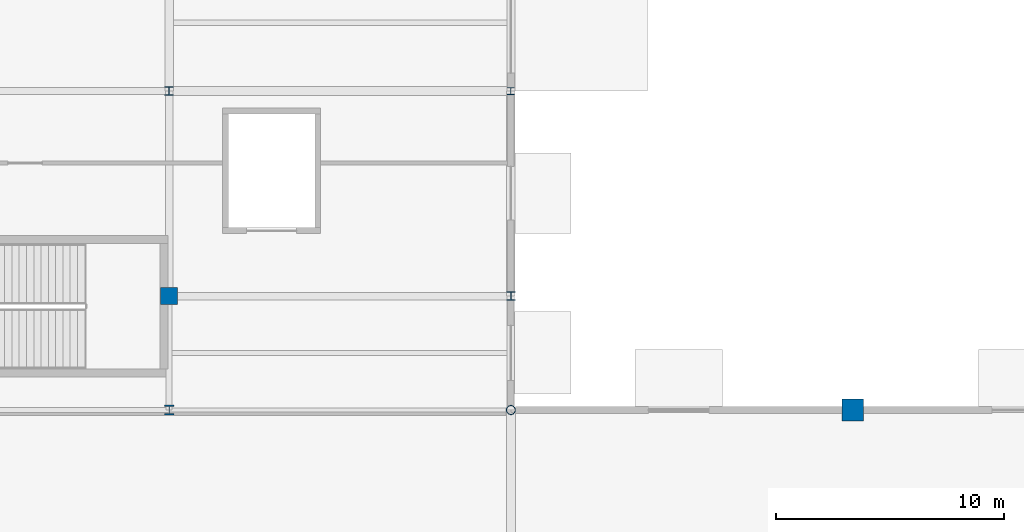
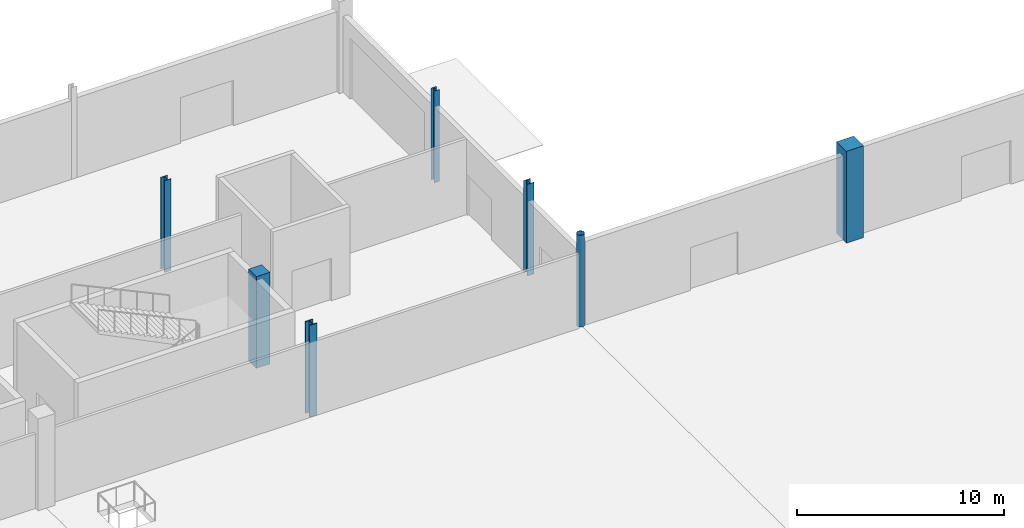
# One storey, part 11 of 94: 7 columns.
"""IFC4 building model written with IfcOpenShell, lengths in metres."""

from ifc_helpers import new_model, si_unit, direction, frame, origin, origin_2d, place, context, subcontext, project, spatial, rectangle, hollow_circle, i_section, extrude, material, material_profile, profile_set, type_object, element, save


model = new_model("IFC4")

# Units and contexts
model_context = context("Model", 3, precision=1e-05, world=origin(), true_north=direction((0.0, 1.0)))
body_context = subcontext(model_context, "Body", "Model", "MODEL_VIEW")
ifc_project = project(units=[si_unit("LENGTHUNIT", "METRE"), si_unit("AREAUNIT", "SQUARE_METRE"), si_unit("VOLUMEUNIT", "CUBIC_METRE"), si_unit("PLANEANGLEUNIT", "RADIAN"), si_unit("MASSUNIT", "GRAM", prefix="KILO")], contexts=[model_context])

# Site, building, storey
site_placement = place(None, origin())
site = spatial("IfcSite", under=ifc_project, at=site_placement, CompositionType="ELEMENT")
building_placement = place(site_placement, origin())
building = spatial("IfcBuilding", under=site, at=building_placement, Name="Qamarlyn Nura Convention Centre", CompositionType="ELEMENT")
storey_placement = place(building_placement, origin())
storey = spatial("IfcBuildingStorey", under=building, at=storey_placement, Name="L00", CompositionType="ELEMENT", Elevation=0.0)

# Columns
ifc_material_1 = material(Name="Concrete C50/60", Category="concrete")
ifc_material_profile_1 = material_profile(ifc_material_1, rectangle(XDim=0.949951171875, YDim=0.949951171875, at=origin_2d()), Name="RC 950x950")
ifc_profile_set_1 = profile_set([ifc_material_profile_1], Name="Concrete C50/60")
column_type_1 = type_object("IfcColumnType", Name="COL-HALL-2", PredefinedType="COLUMN", material=ifc_profile_set_1)
column_1_placement = place(storey_placement, frame((105.0, 103.0, 0.0), z_axis=(0.0, 0.0, 1.0), x_axis=(1.0, 0.0, 0.0)))
element("IfcColumn", 1, at=column_1_placement, inside=storey, type_object=column_type_1, Name="L00 column 8/M", PredefinedType="COLUMN", context=body_context, shape_type="SweptSolid", body=[
    extrude(rectangle(XDim=0.949951171875, YDim=0.949951171875, at=origin_2d()), origin(), (0.0, 0.0, 1.0), 5.39990234375),
])
ifc_material_2 = material(Name="Steel ASTM A992", Category="steel")
ifc_material_profile_2 = material_profile(ifc_material_2, i_section(OverallWidth=0.408935546875, OverallDepth=0.425048828125, WebThickness=0.030517578125, FlangeThickness=0.049072265625, FilletRadius=0.02001953125, at=origin_2d()), Name="W360X421")
ifc_profile_set_2 = profile_set([ifc_material_profile_2], Name="Steel ASTM A992")
column_type_2 = type_object("IfcColumnType", Name="COL-MEGA-1", PredefinedType="COLUMN", material=ifc_profile_set_2)
column_2_placement = place(storey_placement, frame((75.0, 103.0, 0.0), z_axis=(0.0, 0.0, 1.0), x_axis=(1.0, 0.0, 0.0)))
element("IfcColumn", 2, at=column_2_placement, inside=storey, type_object=column_type_2, Name="L00 column 6/M", PredefinedType="COLUMN", context=body_context, shape_type="SweptSolid", body=[
    extrude(i_section(OverallWidth=0.408935546875, OverallDepth=0.425048828125, WebThickness=0.030517578125, FlangeThickness=0.049072265625, FilletRadius=0.02001953125, at=origin_2d()), origin(), (0.0, 0.0, 1.0), 5.39990234375),
])
ifc_material_profile_3 = material_profile(ifc_material_1, rectangle(XDim=0.75, YDim=0.75, at=origin_2d()), Name="RC 750x750")
ifc_profile_set_3 = profile_set([ifc_material_profile_3], Name="Concrete C50/60")
column_type_3 = type_object("IfcColumnType", Name="COL-SUB-2", PredefinedType="COLUMN", material=ifc_profile_set_3)
column_3_placement = place(storey_placement, frame((75.0, 108.0, 0.0), z_axis=(0.0, 0.0, 1.0), x_axis=(1.0, 0.0, 0.0)))
element("IfcColumn", 3, at=column_3_placement, inside=storey, type_object=column_type_3, Name="L00 column 6/N", PredefinedType="COLUMN", context=body_context, shape_type="SweptSolid", body=[
    extrude(rectangle(XDim=0.75, YDim=0.75, at=origin_2d()), origin(), (0.0, 0.0, 1.0), 5.39990234375),
])
ifc_material_3 = material(Name="Pearl-white PVDF steel ASTM A500 Grade C", Category="steel")
ifc_material_profile_4 = material_profile(ifc_material_3, hollow_circle(Radius=0.203125, WallThickness=0.01611328125, at=origin_2d()), Name="CHS406.4X16")
ifc_profile_set_4 = profile_set([ifc_material_profile_4], Name="Pearl-white PVDF steel ASTM A500 Grade C")
column_type_4 = type_object("IfcColumnType", Name="COL-TUBE-1", PredefinedType="COLUMN", material=ifc_profile_set_4)
column_4_placement = place(storey_placement, frame((90.0, 103.0, 0.0), z_axis=(0.0, 0.0, 1.0), x_axis=(1.0, 0.0, 0.0)))
element("IfcColumn", 4, at=column_4_placement, inside=storey, type_object=column_type_4, Name="L00 column 7/M", PredefinedType="COLUMN", context=body_context, shape_type="SweptSolid", body=[
    extrude(hollow_circle(Radius=0.203125, WallThickness=0.01611328125, at=origin_2d()), origin(), (0.0, 0.0, 1.0), 5.39990234375),
])
ifc_material_profile_5 = material_profile(ifc_material_2, i_section(OverallWidth=0.3740234375, OverallDepth=0.3720703125, WebThickness=0.016357421875, FlangeThickness=0.026123046875, FilletRadius=0.01611328125, at=origin_2d()), Name="W360X196")
ifc_profile_set_5 = profile_set([ifc_material_profile_5], Name="Steel ASTM A992")
column_type_5 = type_object("IfcColumnType", Name="COL-WING-2", PredefinedType="COLUMN", material=ifc_profile_set_5)
for number, where, z_axis, x_axis, name in (
    (5, (75.0, 117.0, 0.0), (0.0, 0.0, 1.0), (1.0, 0.0, 0.0), "L00 column 6/P"),
    (6, (90.0, 108.0, 0.0), (0.0, 0.0, 1.0), (1.0, 0.0, 0.0), "L00 column 7/N"),
):
    element("IfcColumn", number, at=place(storey_placement, frame(where, z_axis=z_axis, x_axis=x_axis)), inside=storey, type_object=column_type_5, Name=name, PredefinedType="COLUMN", context=body_context, shape_type="SweptSolid", body=[
        extrude(i_section(OverallWidth=0.3740234375, OverallDepth=0.3720703125, WebThickness=0.016357421875, FlangeThickness=0.026123046875, FilletRadius=0.01611328125, at=origin_2d()), origin(), (0.0, 0.0, 1.0), 5.39990234375),
    ])
ifc_material_profile_6 = material_profile(ifc_material_2, i_section(OverallWidth=0.304931640625, OverallDepth=0.30810546875, WebThickness=0.010009765625, FlangeThickness=0.015380859375, FilletRadius=0.014892578125, at=origin_2d()), Name="W310X97")
ifc_profile_set_6 = profile_set([ifc_material_profile_6], Name="Steel ASTM A992")
column_type_6 = type_object("IfcColumnType", Name="COL-WING-4", PredefinedType="COLUMN", material=ifc_profile_set_6)
column_5_placement = place(storey_placement, frame((90.0, 117.0, 0.0), z_axis=(0.0, 0.0, 1.0), x_axis=(1.0, 0.0, 0.0)))
element("IfcColumn", 7, at=column_5_placement, inside=storey, type_object=column_type_6, Name="L00 column 7/P", PredefinedType="COLUMN", context=body_context, shape_type="SweptSolid", body=[
    extrude(i_section(OverallWidth=0.304931640625, OverallDepth=0.30810546875, WebThickness=0.010009765625, FlangeThickness=0.015380859375, FilletRadius=0.014892578125, at=origin_2d()), origin(), (0.0, 0.0, 1.0), 5.39990234375),
])

save(model, "model.ifc")
